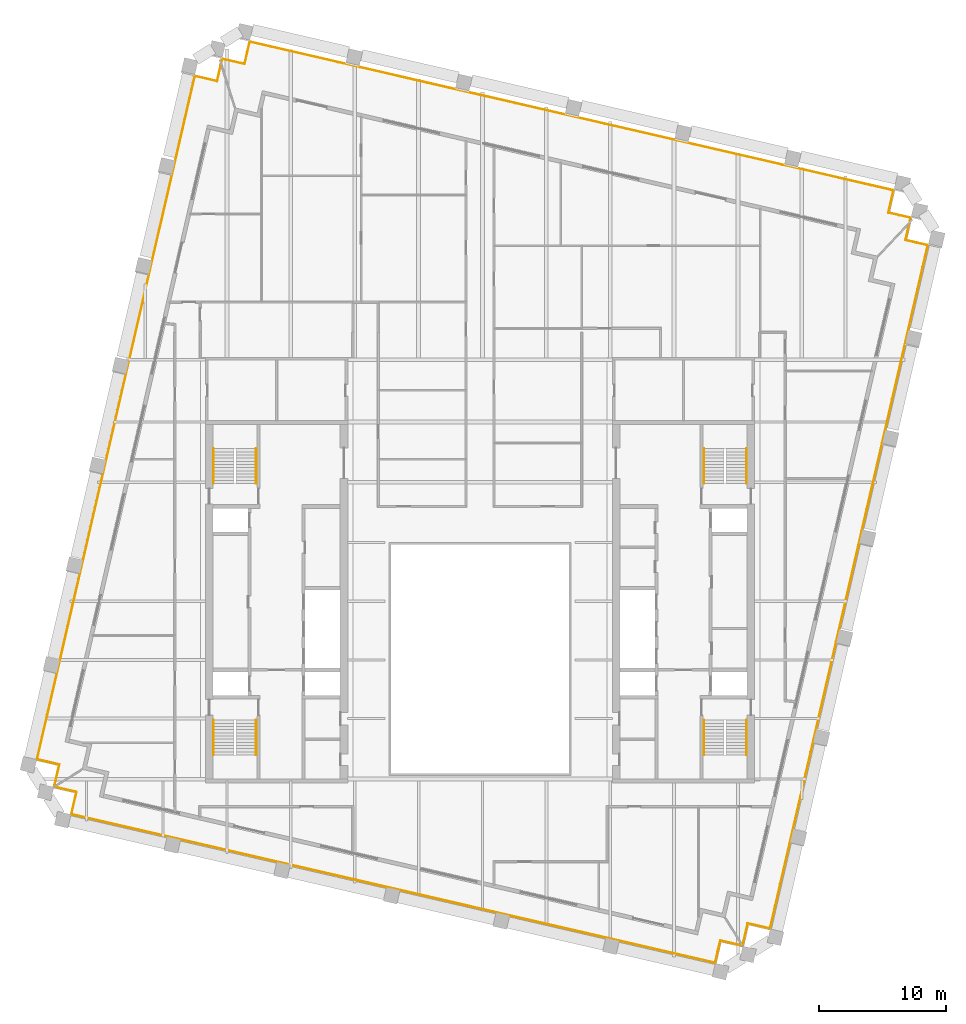
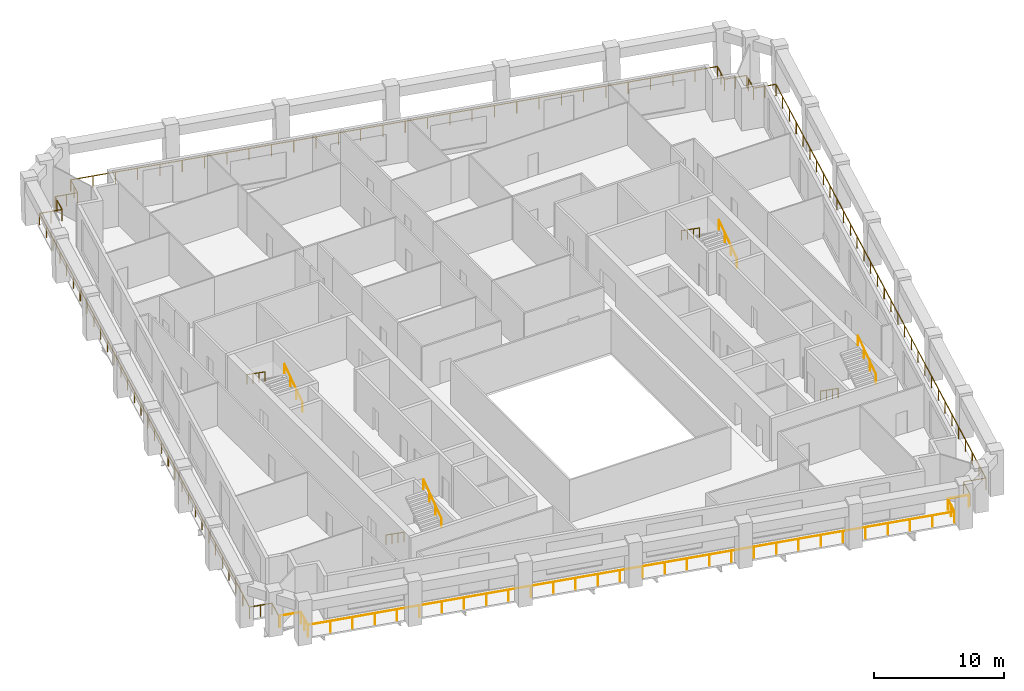
# One storey, part 10 of 10: 12 railings.
"""IFC4 building model written with IfcOpenShell, lengths in metres."""

from ifc_helpers import new_model, si_unit, direction, frame, origin, origin_2d, place, context, subcontext, project, spatial, circle, extrude, material, type_object, element, save


model = new_model("IFC4")

# Units and contexts
model_context = context("Model", 3, precision=1e-05, world=origin(), true_north=direction((0.0, 1.0)))
body_context = subcontext(model_context, "Body", "Model", "MODEL_VIEW")
ifc_project = project(units=[si_unit("LENGTHUNIT", "METRE"), si_unit("AREAUNIT", "SQUARE_METRE"), si_unit("VOLUMEUNIT", "CUBIC_METRE"), si_unit("PLANEANGLEUNIT", "RADIAN"), si_unit("MASSUNIT", "GRAM", prefix="KILO")], contexts=[model_context])

# Site, building, storey
site_placement = place(None, origin())
site = spatial("IfcSite", under=ifc_project, at=site_placement, CompositionType="ELEMENT")
building_placement = place(site_placement, origin())
building = spatial("IfcBuilding", under=site, at=building_placement, Name="Ogive Exchange Tower", CompositionType="ELEMENT")
storey_placement = place(building_placement, frame((0.0, 0.0, 255.60009765625)))
storey = spatial("IfcBuildingStorey", under=building, at=storey_placement, Name="L55", CompositionType="ELEMENT", Elevation=255.60009765625)

# Railings
ifc_material_1 = material(Name="Stainless steel 316", Category="steel")
railing_type_1 = type_object("IfcRailingType", Name="Guard 1100 stainless steel and glass", PredefinedType="GUARDRAIL", material=ifc_material_1)
railing_1_placement = place(storey_placement, frame((20.560546875, -15.527099609375, -0.050048828125)))
element("IfcRailing", 1, at=railing_1_placement, inside=storey, type_object=railing_type_1, Name="Loggia guard 1", PredefinedType="GUARDRAIL", context=body_context, shape_type="SweptSolid", body=[
    extrude(circle(Radius=0.02392578125, at=origin_2d()), frame((0.0, 0.0, 1.076171875), z_axis=(-0.974396013545, 0.224838628327, 0.0), x_axis=(-0.224838628327, -0.974396013545, 0.0)), (0.0, 0.0, 1.0), 1.7080078125),
    extrude(circle(Radius=0.02392578125, at=origin_2d()), frame((-1.664306640625, 0.384033203125, 1.076171875), z_axis=(-0.224879318197, -0.974386623598, 0.0), x_axis=(0.974386623598, -0.224879318197, 0.0)), (0.0, 0.0, 1.0), 1.800048828125),
    extrude(circle(Radius=0.02392578125, at=origin_2d()), frame((-2.069091796875, -1.369873046875, 1.076171875), z_axis=(-0.974370126852, 0.224950785504, 0.0), x_axis=(-0.224950785504, -0.974370126852, 0.0)), (0.0, 0.0, 1.0), 51.960205078125),
    extrude(circle(Radius=0.02392578125, at=origin_2d()), frame((-52.697509765625, 10.318603515625, 1.076171875), z_axis=(0.225008086135, 0.974356896201, 0.0), x_axis=(-0.974356896201, 0.225008086135, 0.0)), (0.0, 0.0, 1.0), 1.800048828125),
    extrude(circle(Radius=0.02392578125, at=origin_2d()), frame((-52.29248046875, 12.072509765625, 1.076171875), z_axis=(-0.974364690374, 0.224974332206, 0.0), x_axis=(-0.224974332206, -0.974364690374, 0.0)), (0.0, 0.0, 1.0), 1.7080078125),
    extrude(circle(Radius=0.02099609375, at=origin_2d()), origin(), (0.0, 0.0, 1.0), 1.052001953125),
    extrude(circle(Radius=0.02099609375, at=origin_2d()), frame((-1.664306640625, 0.384033203125, 0.0)), (0.0, 0.0, 1.0), 1.052001953125),
    extrude(circle(Radius=0.02099609375, at=origin_2d()), frame((-1.86669921875, -0.492919921875, 0.0)), (0.0, 0.0, 1.0), 1.052001953125),
    extrude(circle(Radius=0.02099609375, at=origin_2d()), frame((-2.069091796875, -1.369873046875, 0.0)), (0.0, 0.0, 1.0), 1.052001953125),
    extrude(circle(Radius=0.02099609375, at=origin_2d()), frame((-3.81494140625, -0.966796875, 0.0)), (0.0, 0.0, 1.0), 1.052001953125),
    extrude(circle(Radius=0.02099609375, at=origin_2d()), frame((-5.560791015625, -0.563720703125, 0.0)), (0.0, 0.0, 1.0), 1.052001953125),
    extrude(circle(Radius=0.02099609375, at=origin_2d()), frame((-7.306396484375, -0.16064453125, 0.0)), (0.0, 0.0, 1.0), 1.052001953125),
    extrude(circle(Radius=0.02099609375, at=origin_2d()), frame((-9.05224609375, 0.242431640625, 0.0)), (0.0, 0.0, 1.0), 1.052001953125),
    extrude(circle(Radius=0.02099609375, at=origin_2d()), frame((-10.798095703125, 0.645263671875, 0.0)), (0.0, 0.0, 1.0), 1.052001953125),
    extrude(circle(Radius=0.02099609375, at=origin_2d()), frame((-12.5439453125, 1.04833984375, 0.0)), (0.0, 0.0, 1.0), 1.052001953125),
    extrude(circle(Radius=0.02099609375, at=origin_2d()), frame((-14.289794921875, 1.451416015625, 0.0)), (0.0, 0.0, 1.0), 1.052001953125),
    extrude(circle(Radius=0.02099609375, at=origin_2d()), frame((-16.03564453125, 1.8544921875, 0.0)), (0.0, 0.0, 1.0), 1.052001953125),
    extrude(circle(Radius=0.02099609375, at=origin_2d()), frame((-17.78125, 2.257568359375, 0.0)), (0.0, 0.0, 1.0), 1.052001953125),
    extrude(circle(Radius=0.02099609375, at=origin_2d()), frame((-19.527099609375, 2.66064453125, 0.0)), (0.0, 0.0, 1.0), 1.052001953125),
    extrude(circle(Radius=0.02099609375, at=origin_2d()), frame((-21.27294921875, 3.063720703125, 0.0)), (0.0, 0.0, 1.0), 1.052001953125),
    extrude(circle(Radius=0.02099609375, at=origin_2d()), frame((-23.018798828125, 3.466796875, 0.0)), (0.0, 0.0, 1.0), 1.052001953125),
    extrude(circle(Radius=0.02099609375, at=origin_2d()), frame((-24.7646484375, 3.869873046875, 0.0)), (0.0, 0.0, 1.0), 1.052001953125),
    extrude(circle(Radius=0.02099609375, at=origin_2d()), frame((-26.510498046875, 4.27294921875, 0.0)), (0.0, 0.0, 1.0), 1.052001953125),
    extrude(circle(Radius=0.02099609375, at=origin_2d()), frame((-28.256103515625, 4.67578125, 0.0)), (0.0, 0.0, 1.0), 1.052001953125),
    extrude(circle(Radius=0.02099609375, at=origin_2d()), frame((-30.001953125, 5.078857421875, 0.0)), (0.0, 0.0, 1.0), 1.052001953125),
    extrude(circle(Radius=0.02099609375, at=origin_2d()), frame((-31.747802734375, 5.48193359375, 0.0)), (0.0, 0.0, 1.0), 1.052001953125),
    extrude(circle(Radius=0.02099609375, at=origin_2d()), frame((-33.49365234375, 5.885009765625, 0.0)), (0.0, 0.0, 1.0), 1.052001953125),
    extrude(circle(Radius=0.02099609375, at=origin_2d()), frame((-35.239501953125, 6.2880859375, 0.0)), (0.0, 0.0, 1.0), 1.052001953125),
    extrude(circle(Radius=0.02099609375, at=origin_2d()), frame((-36.9853515625, 6.691162109375, 0.0)), (0.0, 0.0, 1.0), 1.052001953125),
    extrude(circle(Radius=0.02099609375, at=origin_2d()), frame((-38.73095703125, 7.09423828125, 0.0)), (0.0, 0.0, 1.0), 1.052001953125),
    extrude(circle(Radius=0.02099609375, at=origin_2d()), frame((-40.476806640625, 7.497314453125, 0.0)), (0.0, 0.0, 1.0), 1.052001953125),
    extrude(circle(Radius=0.02099609375, at=origin_2d()), frame((-42.22265625, 7.900390625, 0.0)), (0.0, 0.0, 1.0), 1.052001953125),
    extrude(circle(Radius=0.02099609375, at=origin_2d()), frame((-43.968505859375, 8.303466796875, 0.0)), (0.0, 0.0, 1.0), 1.052001953125),
    extrude(circle(Radius=0.02099609375, at=origin_2d()), frame((-45.71435546875, 8.706298828125, 0.0)), (0.0, 0.0, 1.0), 1.052001953125),
    extrude(circle(Radius=0.02099609375, at=origin_2d()), frame((-47.460205078125, 9.109375, 0.0)), (0.0, 0.0, 1.0), 1.052001953125),
    extrude(circle(Radius=0.02099609375, at=origin_2d()), frame((-49.205810546875, 9.512451171875, 0.0)), (0.0, 0.0, 1.0), 1.052001953125),
    extrude(circle(Radius=0.02099609375, at=origin_2d()), frame((-50.95166015625, 9.91552734375, 0.0)), (0.0, 0.0, 1.0), 1.052001953125),
    extrude(circle(Radius=0.02099609375, at=origin_2d()), frame((-52.697509765625, 10.318603515625, 0.0)), (0.0, 0.0, 1.0), 1.052001953125),
    extrude(circle(Radius=0.02099609375, at=origin_2d()), frame((-52.4951171875, 11.195556640625, 0.0)), (0.0, 0.0, 1.0), 1.052001953125),
    extrude(circle(Radius=0.02099609375, at=origin_2d()), frame((-52.29248046875, 12.072509765625, 0.0)), (0.0, 0.0, 1.0), 1.052001953125),
    extrude(circle(Radius=0.02099609375, at=origin_2d()), frame((-53.956787109375, 12.456787109375, 0.0)), (0.0, 0.0, 1.0), 1.052001953125),
])
railing_2_placement = place(storey_placement, frame((-33.465087890625, -2.960205078125, -0.050048828125)))
element("IfcRailing", 2, at=railing_2_placement, inside=storey, type_object=railing_type_1, Name="Loggia guard 2", PredefinedType="GUARDRAIL", context=body_context, shape_type="SweptSolid", body=[
    extrude(circle(Radius=0.02392578125, at=origin_2d()), frame((0.0, 0.0, 1.076171875), z_axis=(0.224974332206, 0.974364690374, 0.0), x_axis=(-0.974364690374, 0.224974332206, 0.0)), (0.0, 0.0, 1.0), 1.7080078125),
    extrude(circle(Radius=0.02392578125, at=origin_2d()), frame((0.38427734375, 1.664306640625, 1.076171875), z_axis=(-0.974356896201, 0.225008086135, 0.0), x_axis=(-0.225008086135, -0.974356896201, 0.0)), (0.0, 0.0, 1.0), 1.800048828125),
    extrude(circle(Radius=0.02392578125, at=origin_2d()), frame((-1.36962890625, 2.0693359375, 1.076171875), z_axis=(0.224947121332, 0.974370972784, 0.0), x_axis=(-0.974370972784, 0.224947121332, 0.0)), (0.0, 0.0, 1.0), 55.15087890625),
    extrude(circle(Radius=0.02392578125, at=origin_2d()), frame((11.036376953125, 55.806640625, 1.076171875), z_axis=(0.974386623598, -0.224879318197, 0.0), x_axis=(0.224879318197, 0.974386623598, 0.0)), (0.0, 0.0, 1.0), 1.800048828125),
    extrude(circle(Radius=0.02392578125, at=origin_2d()), frame((12.790283203125, 55.40185546875, 1.076171875), z_axis=(0.225126273953, 0.974329595556, 0.0), x_axis=(-0.974329595556, 0.225126273953, 0.0)), (0.0, 0.0, 1.0), 1.27001953125),
    extrude(circle(Radius=0.02099609375, at=origin_2d()), origin(), (0.0, 0.0, 1.0), 1.052001953125),
    extrude(circle(Radius=0.02099609375, at=origin_2d()), frame((0.38427734375, 1.664306640625, 0.0)), (0.0, 0.0, 1.0), 1.052001953125),
    extrude(circle(Radius=0.02099609375, at=origin_2d()), frame((-0.49267578125, 1.86669921875, 0.0)), (0.0, 0.0, 1.0), 1.052001953125),
    extrude(circle(Radius=0.02099609375, at=origin_2d()), frame((-1.36962890625, 2.0693359375, 0.0)), (0.0, 0.0, 1.0), 1.052001953125),
    extrude(circle(Radius=0.02099609375, at=origin_2d()), frame((-0.969482421875, 3.802734375, 0.0)), (0.0, 0.0, 1.0), 1.052001953125),
    extrude(circle(Radius=0.02099609375, at=origin_2d()), frame((-0.5693359375, 5.536376953125, 0.0)), (0.0, 0.0, 1.0), 1.052001953125),
    extrude(circle(Radius=0.02099609375, at=origin_2d()), frame((-0.1689453125, 7.269775390625, 0.0)), (0.0, 0.0, 1.0), 1.052001953125),
    extrude(circle(Radius=0.02099609375, at=origin_2d()), frame((0.231201171875, 9.003173828125, 0.0)), (0.0, 0.0, 1.0), 1.052001953125),
    extrude(circle(Radius=0.02099609375, at=origin_2d()), frame((0.63134765625, 10.736572265625, 0.0)), (0.0, 0.0, 1.0), 1.052001953125),
    extrude(circle(Radius=0.02099609375, at=origin_2d()), frame((1.031494140625, 12.47021484375, 0.0)), (0.0, 0.0, 1.0), 1.052001953125),
    extrude(circle(Radius=0.02099609375, at=origin_2d()), frame((1.431640625, 14.20361328125, 0.0)), (0.0, 0.0, 1.0), 1.052001953125),
    extrude(circle(Radius=0.02099609375, at=origin_2d()), frame((1.83203125, 15.93701171875, 0.0)), (0.0, 0.0, 1.0), 1.052001953125),
    extrude(circle(Radius=0.02099609375, at=origin_2d()), frame((2.232177734375, 17.67041015625, 0.0)), (0.0, 0.0, 1.0), 1.052001953125),
    extrude(circle(Radius=0.02099609375, at=origin_2d()), frame((2.63232421875, 19.404052734375, 0.0)), (0.0, 0.0, 1.0), 1.052001953125),
    extrude(circle(Radius=0.02099609375, at=origin_2d()), frame((3.032470703125, 21.137451171875, 0.0)), (0.0, 0.0, 1.0), 1.052001953125),
    extrude(circle(Radius=0.02099609375, at=origin_2d()), frame((3.4326171875, 22.870849609375, 0.0)), (0.0, 0.0, 1.0), 1.052001953125),
    extrude(circle(Radius=0.02099609375, at=origin_2d()), frame((3.8330078125, 24.604248046875, 0.0)), (0.0, 0.0, 1.0), 1.052001953125),
    extrude(circle(Radius=0.02099609375, at=origin_2d()), frame((4.233154296875, 26.337890625, 0.0)), (0.0, 0.0, 1.0), 1.052001953125),
    extrude(circle(Radius=0.02099609375, at=origin_2d()), frame((4.63330078125, 28.0712890625, 0.0)), (0.0, 0.0, 1.0), 1.052001953125),
    extrude(circle(Radius=0.02099609375, at=origin_2d()), frame((5.033447265625, 29.8046875, 0.0)), (0.0, 0.0, 1.0), 1.052001953125),
    extrude(circle(Radius=0.02099609375, at=origin_2d()), frame((5.43359375, 31.5380859375, 0.0)), (0.0, 0.0, 1.0), 1.052001953125),
    extrude(circle(Radius=0.02099609375, at=origin_2d()), frame((5.833740234375, 33.271728515625, 0.0)), (0.0, 0.0, 1.0), 1.052001953125),
    extrude(circle(Radius=0.02099609375, at=origin_2d()), frame((6.234130859375, 35.005126953125, 0.0)), (0.0, 0.0, 1.0), 1.052001953125),
    extrude(circle(Radius=0.02099609375, at=origin_2d()), frame((6.63427734375, 36.738525390625, 0.0)), (0.0, 0.0, 1.0), 1.052001953125),
    extrude(circle(Radius=0.02099609375, at=origin_2d()), frame((7.034423828125, 38.471923828125, 0.0)), (0.0, 0.0, 1.0), 1.052001953125),
    extrude(circle(Radius=0.02099609375, at=origin_2d()), frame((7.4345703125, 40.20556640625, 0.0)), (0.0, 0.0, 1.0), 1.052001953125),
    extrude(circle(Radius=0.02099609375, at=origin_2d()), frame((7.834716796875, 41.93896484375, 0.0)), (0.0, 0.0, 1.0), 1.052001953125),
    extrude(circle(Radius=0.02099609375, at=origin_2d()), frame((8.235107421875, 43.67236328125, 0.0)), (0.0, 0.0, 1.0), 1.052001953125),
    extrude(circle(Radius=0.02099609375, at=origin_2d()), frame((8.63525390625, 45.40576171875, 0.0)), (0.0, 0.0, 1.0), 1.052001953125),
    extrude(circle(Radius=0.02099609375, at=origin_2d()), frame((9.035400390625, 47.139404296875, 0.0)), (0.0, 0.0, 1.0), 1.052001953125),
    extrude(circle(Radius=0.02099609375, at=origin_2d()), frame((9.435546875, 48.872802734375, 0.0)), (0.0, 0.0, 1.0), 1.052001953125),
    extrude(circle(Radius=0.02099609375, at=origin_2d()), frame((9.835693359375, 50.606201171875, 0.0)), (0.0, 0.0, 1.0), 1.052001953125),
    extrude(circle(Radius=0.02099609375, at=origin_2d()), frame((10.236083984375, 52.339599609375, 0.0)), (0.0, 0.0, 1.0), 1.052001953125),
    extrude(circle(Radius=0.02099609375, at=origin_2d()), frame((10.63623046875, 54.0732421875, 0.0)), (0.0, 0.0, 1.0), 1.052001953125),
    extrude(circle(Radius=0.02099609375, at=origin_2d()), frame((11.036376953125, 55.806640625, 0.0)), (0.0, 0.0, 1.0), 1.052001953125),
    extrude(circle(Radius=0.02099609375, at=origin_2d()), frame((11.913330078125, 55.604248046875, 0.0)), (0.0, 0.0, 1.0), 1.052001953125),
    extrude(circle(Radius=0.02099609375, at=origin_2d()), frame((12.790283203125, 55.40185546875, 0.0)), (0.0, 0.0, 1.0), 1.052001953125),
    extrude(circle(Radius=0.02099609375, at=origin_2d()), frame((13.076171875, 56.63916015625, 0.0)), (0.0, 0.0, 1.0), 1.052001953125),
])
railing_3_placement = place(storey_placement, frame((-20.331298828125, 53.929443359375, -0.050048828125)))
element("IfcRailing", 3, at=railing_3_placement, inside=storey, type_object=railing_type_1, Name="Loggia guard 3", PredefinedType="GUARDRAIL", context=body_context, shape_type="SweptSolid", body=[
    extrude(circle(Radius=0.02392578125, at=origin_2d()), frame((0.0, 0.0, 1.076171875), z_axis=(0.225251177309, 0.97430072725, 0.0), x_axis=(-0.97430072725, 0.225251177309, 0.0)), (0.0, 0.0, 1.0), 0.273193359375),
    extrude(circle(Radius=0.02392578125, at=origin_2d()), frame((0.0615234375, 0.26611328125, 1.076171875), z_axis=(0.974356896201, -0.225008086135, 0.0), x_axis=(0.225008086135, 0.974356896201, 0.0)), (0.0, 0.0, 1.0), 1.800048828125),
    extrude(circle(Radius=0.02392578125, at=origin_2d()), frame((1.8154296875, -0.138916015625, 1.076171875), z_axis=(0.224879318197, 0.974386623598, 0.0), x_axis=(-0.974386623598, 0.224879318197, 0.0)), (0.0, 0.0, 1.0), 1.800048828125),
    extrude(circle(Radius=0.02392578125, at=origin_2d()), frame((2.22021484375, 1.614990234375, 1.076171875), z_axis=(0.974370126852, -0.224950785504, 0.0), x_axis=(0.224950785504, 0.974370126852, 0.0)), (0.0, 0.0, 1.0), 51.960205078125),
    extrude(circle(Radius=0.02392578125, at=origin_2d()), frame((52.8486328125, -10.073486328125, 1.076171875), z_axis=(-0.225008086135, -0.974356896201, 0.0), x_axis=(0.974356896201, -0.225008086135, 0.0)), (0.0, 0.0, 1.0), 1.800048828125),
    extrude(circle(Radius=0.02392578125, at=origin_2d()), frame((52.443603515625, -11.827392578125, 1.076171875), z_axis=(0.974386623598, -0.224879318197, 0.0), x_axis=(0.224879318197, 0.974386623598, 0.0)), (0.0, 0.0, 1.0), 1.800048828125),
    extrude(circle(Radius=0.02392578125, at=origin_2d()), frame((54.197509765625, -12.232177734375, 1.076171875), z_axis=(-0.225251177309, -0.97430072725, 0.0), x_axis=(0.97430072725, -0.225251177309, 0.0)), (0.0, 0.0, 1.0), 0.273193359375),
    extrude(circle(Radius=0.02099609375, at=origin_2d()), origin(), (0.0, 0.0, 1.0), 1.052001953125),
    extrude(circle(Radius=0.02099609375, at=origin_2d()), frame((0.0615234375, 0.26611328125, 0.0)), (0.0, 0.0, 1.0), 1.052001953125),
    extrude(circle(Radius=0.02099609375, at=origin_2d()), frame((0.9384765625, 0.0634765625, 0.0)), (0.0, 0.0, 1.0), 1.052001953125),
    extrude(circle(Radius=0.02099609375, at=origin_2d()), frame((1.8154296875, -0.138916015625, 0.0)), (0.0, 0.0, 1.0), 1.052001953125),
    extrude(circle(Radius=0.02099609375, at=origin_2d()), frame((2.017822265625, 0.738037109375, 0.0)), (0.0, 0.0, 1.0), 1.052001953125),
    extrude(circle(Radius=0.02099609375, at=origin_2d()), frame((2.22021484375, 1.614990234375, 0.0)), (0.0, 0.0, 1.0), 1.052001953125),
    extrude(circle(Radius=0.02099609375, at=origin_2d()), frame((3.966064453125, 1.2119140625, 0.0)), (0.0, 0.0, 1.0), 1.052001953125),
    extrude(circle(Radius=0.02099609375, at=origin_2d()), frame((5.7119140625, 0.808837890625, 0.0)), (0.0, 0.0, 1.0), 1.052001953125),
    extrude(circle(Radius=0.02099609375, at=origin_2d()), frame((7.45751953125, 0.40576171875, 0.0)), (0.0, 0.0, 1.0), 1.052001953125),
    extrude(circle(Radius=0.02099609375, at=origin_2d()), frame((9.203369140625, 0.002685546875, 0.0)), (0.0, 0.0, 1.0), 1.052001953125),
    extrude(circle(Radius=0.02099609375, at=origin_2d()), frame((10.94921875, -0.400146484375, 0.0)), (0.0, 0.0, 1.0), 1.052001953125),
    extrude(circle(Radius=0.02099609375, at=origin_2d()), frame((12.695068359375, -0.80322265625, 0.0)), (0.0, 0.0, 1.0), 1.052001953125),
    extrude(circle(Radius=0.02099609375, at=origin_2d()), frame((14.44091796875, -1.206298828125, 0.0)), (0.0, 0.0, 1.0), 1.052001953125),
    extrude(circle(Radius=0.02099609375, at=origin_2d()), frame((16.186767578125, -1.609375, 0.0)), (0.0, 0.0, 1.0), 1.052001953125),
    extrude(circle(Radius=0.02099609375, at=origin_2d()), frame((17.932373046875, -2.012451171875, 0.0)), (0.0, 0.0, 1.0), 1.052001953125),
    extrude(circle(Radius=0.02099609375, at=origin_2d()), frame((19.67822265625, -2.41552734375, 0.0)), (0.0, 0.0, 1.0), 1.052001953125),
    extrude(circle(Radius=0.02099609375, at=origin_2d()), frame((21.424072265625, -2.818603515625, 0.0)), (0.0, 0.0, 1.0), 1.052001953125),
    extrude(circle(Radius=0.02099609375, at=origin_2d()), frame((23.169921875, -3.2216796875, 0.0)), (0.0, 0.0, 1.0), 1.052001953125),
    extrude(circle(Radius=0.02099609375, at=origin_2d()), frame((24.915771484375, -3.624755859375, 0.0)), (0.0, 0.0, 1.0), 1.052001953125),
    extrude(circle(Radius=0.02099609375, at=origin_2d()), frame((26.66162109375, -4.02783203125, 0.0)), (0.0, 0.0, 1.0), 1.052001953125),
    extrude(circle(Radius=0.02099609375, at=origin_2d()), frame((28.4072265625, -4.4306640625, 0.0)), (0.0, 0.0, 1.0), 1.052001953125),
    extrude(circle(Radius=0.02099609375, at=origin_2d()), frame((30.153076171875, -4.833740234375, 0.0)), (0.0, 0.0, 1.0), 1.052001953125),
    extrude(circle(Radius=0.02099609375, at=origin_2d()), frame((31.89892578125, -5.23681640625, 0.0)), (0.0, 0.0, 1.0), 1.052001953125),
    extrude(circle(Radius=0.02099609375, at=origin_2d()), frame((33.644775390625, -5.639892578125, 0.0)), (0.0, 0.0, 1.0), 1.052001953125),
    extrude(circle(Radius=0.02099609375, at=origin_2d()), frame((35.390625, -6.04296875, 0.0)), (0.0, 0.0, 1.0), 1.052001953125),
    extrude(circle(Radius=0.02099609375, at=origin_2d()), frame((37.136474609375, -6.446044921875, 0.0)), (0.0, 0.0, 1.0), 1.052001953125),
    extrude(circle(Radius=0.02099609375, at=origin_2d()), frame((38.882080078125, -6.84912109375, 0.0)), (0.0, 0.0, 1.0), 1.052001953125),
    extrude(circle(Radius=0.02099609375, at=origin_2d()), frame((40.6279296875, -7.252197265625, 0.0)), (0.0, 0.0, 1.0), 1.052001953125),
    extrude(circle(Radius=0.02099609375, at=origin_2d()), frame((42.373779296875, -7.6552734375, 0.0)), (0.0, 0.0, 1.0), 1.052001953125),
    extrude(circle(Radius=0.02099609375, at=origin_2d()), frame((44.11962890625, -8.058349609375, 0.0)), (0.0, 0.0, 1.0), 1.052001953125),
    extrude(circle(Radius=0.02099609375, at=origin_2d()), frame((45.865478515625, -8.461181640625, 0.0)), (0.0, 0.0, 1.0), 1.052001953125),
    extrude(circle(Radius=0.02099609375, at=origin_2d()), frame((47.611328125, -8.8642578125, 0.0)), (0.0, 0.0, 1.0), 1.052001953125),
    extrude(circle(Radius=0.02099609375, at=origin_2d()), frame((49.35693359375, -9.267333984375, 0.0)), (0.0, 0.0, 1.0), 1.052001953125),
    extrude(circle(Radius=0.02099609375, at=origin_2d()), frame((51.102783203125, -9.67041015625, 0.0)), (0.0, 0.0, 1.0), 1.052001953125),
    extrude(circle(Radius=0.02099609375, at=origin_2d()), frame((52.8486328125, -10.073486328125, 0.0)), (0.0, 0.0, 1.0), 1.052001953125),
    extrude(circle(Radius=0.02099609375, at=origin_2d()), frame((52.64599609375, -10.950439453125, 0.0)), (0.0, 0.0, 1.0), 1.052001953125),
    extrude(circle(Radius=0.02099609375, at=origin_2d()), frame((52.443603515625, -11.827392578125, 0.0)), (0.0, 0.0, 1.0), 1.052001953125),
    extrude(circle(Radius=0.02099609375, at=origin_2d()), frame((53.320556640625, -12.02978515625, 0.0)), (0.0, 0.0, 1.0), 1.052001953125),
    extrude(circle(Radius=0.02099609375, at=origin_2d()), frame((54.197509765625, -12.232177734375, 0.0)), (0.0, 0.0, 1.0), 1.052001953125),
    extrude(circle(Radius=0.02099609375, at=origin_2d()), frame((54.135986328125, -12.498291015625, 0.0)), (0.0, 0.0, 1.0), 1.052001953125),
])
railing_4_placement = place(storey_placement, frame((33.7470703125, 41.1806640625, -0.050048828125)))
element("IfcRailing", 4, at=railing_4_placement, inside=storey, type_object=railing_type_1, Name="Loggia guard 4", PredefinedType="GUARDRAIL", context=body_context, shape_type="SweptSolid", body=[
    extrude(circle(Radius=0.02392578125, at=origin_2d()), frame((0.0, 0.0, 1.076171875), z_axis=(-0.225126273953, -0.974329595556, 0.0), x_axis=(0.974329595556, -0.225126273953, 0.0)), (0.0, 0.0, 1.0), 1.27001953125),
    extrude(circle(Radius=0.02392578125, at=origin_2d()), frame((-0.285888671875, -1.2373046875, 1.076171875), z_axis=(0.974356896201, -0.225008086135, 0.0), x_axis=(0.225008086135, 0.974356896201, 0.0)), (0.0, 0.0, 1.0), 1.800048828125),
    extrude(circle(Radius=0.02392578125, at=origin_2d()), frame((1.468017578125, -1.642333984375, 1.076171875), z_axis=(-0.22495132411, -0.974370002505, 0.0), x_axis=(0.974370002505, -0.22495132411, 0.0)), (0.0, 0.0, 1.0), 55.15087890625),
    extrude(circle(Radius=0.02392578125, at=origin_2d()), frame((-10.938232421875, -55.379638671875, 1.076171875), z_axis=(-0.974379763188, 0.224909041816, 0.0), x_axis=(-0.224909041816, -0.974379763188, 0.0)), (0.0, 0.0, 1.0), 1.7998046875),
    extrude(circle(Radius=0.02392578125, at=origin_2d()), frame((-12.69189453125, -54.974853515625, 1.076171875), z_axis=(-0.224974332206, -0.974364690374, 0.0), x_axis=(0.974364690374, -0.224974332206, 0.0)), (0.0, 0.0, 1.0), 1.7080078125),
    extrude(circle(Radius=0.02099609375, at=origin_2d()), origin(), (0.0, 0.0, 1.0), 1.052001953125),
    extrude(circle(Radius=0.02099609375, at=origin_2d()), frame((-0.285888671875, -1.2373046875, 0.0)), (0.0, 0.0, 1.0), 1.052001953125),
    extrude(circle(Radius=0.02099609375, at=origin_2d()), frame((0.591064453125, -1.43994140625, 0.0)), (0.0, 0.0, 1.0), 1.052001953125),
    extrude(circle(Radius=0.02099609375, at=origin_2d()), frame((1.468017578125, -1.642333984375, 0.0)), (0.0, 0.0, 1.0), 1.052001953125),
    extrude(circle(Radius=0.02099609375, at=origin_2d()), frame((1.06787109375, -3.375732421875, 0.0)), (0.0, 0.0, 1.0), 1.052001953125),
    extrude(circle(Radius=0.02099609375, at=origin_2d()), frame((0.667724609375, -5.109375, 0.0)), (0.0, 0.0, 1.0), 1.052001953125),
    extrude(circle(Radius=0.02099609375, at=origin_2d()), frame((0.267333984375, -6.8427734375, 0.0)), (0.0, 0.0, 1.0), 1.052001953125),
    extrude(circle(Radius=0.02099609375, at=origin_2d()), frame((-0.1328125, -8.576171875, 0.0)), (0.0, 0.0, 1.0), 1.052001953125),
    extrude(circle(Radius=0.02099609375, at=origin_2d()), frame((-0.532958984375, -10.3095703125, 0.0)), (0.0, 0.0, 1.0), 1.052001953125),
    extrude(circle(Radius=0.02099609375, at=origin_2d()), frame((-0.93310546875, -12.043212890625, 0.0)), (0.0, 0.0, 1.0), 1.052001953125),
    extrude(circle(Radius=0.02099609375, at=origin_2d()), frame((-1.33349609375, -13.776611328125, 0.0)), (0.0, 0.0, 1.0), 1.052001953125),
    extrude(circle(Radius=0.02099609375, at=origin_2d()), frame((-1.733642578125, -15.510009765625, 0.0)), (0.0, 0.0, 1.0), 1.052001953125),
    extrude(circle(Radius=0.02099609375, at=origin_2d()), frame((-2.1337890625, -17.243408203125, 0.0)), (0.0, 0.0, 1.0), 1.052001953125),
    extrude(circle(Radius=0.02099609375, at=origin_2d()), frame((-2.533935546875, -18.97705078125, 0.0)), (0.0, 0.0, 1.0), 1.052001953125),
    extrude(circle(Radius=0.02099609375, at=origin_2d()), frame((-2.93408203125, -20.71044921875, 0.0)), (0.0, 0.0, 1.0), 1.052001953125),
    extrude(circle(Radius=0.02099609375, at=origin_2d()), frame((-3.33447265625, -22.44384765625, 0.0)), (0.0, 0.0, 1.0), 1.052001953125),
    extrude(circle(Radius=0.02099609375, at=origin_2d()), frame((-3.734619140625, -24.17724609375, 0.0)), (0.0, 0.0, 1.0), 1.052001953125),
    extrude(circle(Radius=0.02099609375, at=origin_2d()), frame((-4.134765625, -25.910888671875, 0.0)), (0.0, 0.0, 1.0), 1.052001953125),
    extrude(circle(Radius=0.02099609375, at=origin_2d()), frame((-4.534912109375, -27.644287109375, 0.0)), (0.0, 0.0, 1.0), 1.052001953125),
    extrude(circle(Radius=0.02099609375, at=origin_2d()), frame((-4.935302734375, -29.377685546875, 0.0)), (0.0, 0.0, 1.0), 1.052001953125),
    extrude(circle(Radius=0.02099609375, at=origin_2d()), frame((-5.33544921875, -31.111083984375, 0.0)), (0.0, 0.0, 1.0), 1.052001953125),
    extrude(circle(Radius=0.02099609375, at=origin_2d()), frame((-5.735595703125, -32.8447265625, 0.0)), (0.0, 0.0, 1.0), 1.052001953125),
    extrude(circle(Radius=0.02099609375, at=origin_2d()), frame((-6.1357421875, -34.578125, 0.0)), (0.0, 0.0, 1.0), 1.052001953125),
    extrude(circle(Radius=0.02099609375, at=origin_2d()), frame((-6.5361328125, -36.3115234375, 0.0)), (0.0, 0.0, 1.0), 1.052001953125),
    extrude(circle(Radius=0.02099609375, at=origin_2d()), frame((-6.936279296875, -38.044921875, 0.0)), (0.0, 0.0, 1.0), 1.052001953125),
    extrude(circle(Radius=0.02099609375, at=origin_2d()), frame((-7.33642578125, -39.778564453125, 0.0)), (0.0, 0.0, 1.0), 1.052001953125),
    extrude(circle(Radius=0.02099609375, at=origin_2d()), frame((-7.736572265625, -41.511962890625, 0.0)), (0.0, 0.0, 1.0), 1.052001953125),
    extrude(circle(Radius=0.02099609375, at=origin_2d()), frame((-8.13671875, -43.245361328125, 0.0)), (0.0, 0.0, 1.0), 1.052001953125),
    extrude(circle(Radius=0.02099609375, at=origin_2d()), frame((-8.537109375, -44.978759765625, 0.0)), (0.0, 0.0, 1.0), 1.052001953125),
    extrude(circle(Radius=0.02099609375, at=origin_2d()), frame((-8.937255859375, -46.71240234375, 0.0)), (0.0, 0.0, 1.0), 1.052001953125),
    extrude(circle(Radius=0.02099609375, at=origin_2d()), frame((-9.33740234375, -48.44580078125, 0.0)), (0.0, 0.0, 1.0), 1.052001953125),
    extrude(circle(Radius=0.02099609375, at=origin_2d()), frame((-9.737548828125, -50.17919921875, 0.0)), (0.0, 0.0, 1.0), 1.052001953125),
    extrude(circle(Radius=0.02099609375, at=origin_2d()), frame((-10.137939453125, -51.91259765625, 0.0)), (0.0, 0.0, 1.0), 1.052001953125),
    extrude(circle(Radius=0.02099609375, at=origin_2d()), frame((-10.5380859375, -53.646240234375, 0.0)), (0.0, 0.0, 1.0), 1.052001953125),
    extrude(circle(Radius=0.02099609375, at=origin_2d()), frame((-10.938232421875, -55.379638671875, 0.0)), (0.0, 0.0, 1.0), 1.052001953125),
    extrude(circle(Radius=0.02099609375, at=origin_2d()), frame((-12.69189453125, -54.974853515625, 0.0)), (0.0, 0.0, 1.0), 1.052001953125),
    extrude(circle(Radius=0.02099609375, at=origin_2d()), frame((-13.076171875, -56.63916015625, 0.0)), (0.0, 0.0, 1.0), 1.052001953125),
])
ifc_material_2 = material(Name="Stainless steel", Category="steel")
railing_type_2 = type_object("IfcRailingType", Name="Stair handrail 900", PredefinedType="HANDRAIL", material=ifc_material_2)
railing_5_placement = place(storey_placement, frame((-20.949951171875, 2.199951171875, 0.1748046875)))
element("IfcRailing", 5, at=railing_5_placement, inside=storey, type_object=railing_type_2, Name="L55 ST1 stair handrail 1", PredefinedType="HANDRAIL", context=body_context, shape_type="SweptSolid", body=[
    extrude(circle(Radius=0.02392578125, at=origin_2d()), frame((0.0, 0.0, 0.8759765625), z_axis=(0.0, -0.819225086817, 0.573472106672), x_axis=(1.0, 0.0, 0.0)), (0.0, 0.0, 1.0), 3.35693359375),
    extrude(circle(Radius=0.02099609375, at=origin_2d()), origin(), (0.0, 0.0, 1.0), 0.851806640625),
    extrude(circle(Radius=0.02099609375, at=origin_2d()), frame((0.0, -0.916748046875, 0.6416015625)), (0.0, 0.0, 1.0), 0.851806640625),
    extrude(circle(Radius=0.02099609375, at=origin_2d()), frame((0.0, -1.833251953125, 1.283447265625)), (0.0, 0.0, 1.0), 0.851806640625),
    extrude(circle(Radius=0.02099609375, at=origin_2d()), frame((0.0, -2.75, 1.925048828125)), (0.0, 0.0, 1.0), 0.851806640625),
])
for number, where, name in (
    (6, (-17.60009765625, -0.550048828125, 2.27490234375), "L55 ST1 stair handrail 2"),
    (7, (-17.60009765625, 20.800048828125, 0.1748046875), "L55 ST2 stair handrail 1"),
):
    element("IfcRailing", number, at=place(storey_placement, frame(where)), inside=storey, type_object=railing_type_2, Name=name, PredefinedType="HANDRAIL", context=body_context, shape_type="SweptSolid", body=[
        extrude(circle(Radius=0.02392578125, at=origin_2d()), frame((0.0, 0.0, 0.8759765625), z_axis=(0.0, 0.819225086817, 0.573472106672), x_axis=(-1.0, 0.0, 0.0)), (0.0, 0.0, 1.0), 3.35693359375),
        extrude(circle(Radius=0.02099609375, at=origin_2d()), origin(), (0.0, 0.0, 1.0), 0.851806640625),
        extrude(circle(Radius=0.02099609375, at=origin_2d()), frame((0.0, 0.916748046875, 0.6416015625)), (0.0, 0.0, 1.0), 0.851806640625),
        extrude(circle(Radius=0.02099609375, at=origin_2d()), frame((0.0, 1.833251953125, 1.283447265625)), (0.0, 0.0, 1.0), 0.851806640625),
        extrude(circle(Radius=0.02099609375, at=origin_2d()), frame((0.0, 2.75, 1.925048828125)), (0.0, 0.0, 1.0), 0.851806640625),
    ])
for number, where, name in (
    (8, (-20.949951171875, 23.550048828125, 2.27490234375), "L55 ST2 stair handrail 2"),
    (9, (17.60009765625, 2.199951171875, 0.1748046875), "L55 ST3 stair handrail 1"),
):
    element("IfcRailing", number, at=place(storey_placement, frame(where)), inside=storey, type_object=railing_type_2, Name=name, PredefinedType="HANDRAIL", context=body_context, shape_type="SweptSolid", body=[
        extrude(circle(Radius=0.02392578125, at=origin_2d()), frame((0.0, 0.0, 0.8759765625), z_axis=(0.0, -0.819225086817, 0.573472106672), x_axis=(1.0, 0.0, 0.0)), (0.0, 0.0, 1.0), 3.35693359375),
        extrude(circle(Radius=0.02099609375, at=origin_2d()), origin(), (0.0, 0.0, 1.0), 0.851806640625),
        extrude(circle(Radius=0.02099609375, at=origin_2d()), frame((0.0, -0.916748046875, 0.6416015625)), (0.0, 0.0, 1.0), 0.851806640625),
        extrude(circle(Radius=0.02099609375, at=origin_2d()), frame((0.0, -1.833251953125, 1.283447265625)), (0.0, 0.0, 1.0), 0.851806640625),
        extrude(circle(Radius=0.02099609375, at=origin_2d()), frame((0.0, -2.75, 1.925048828125)), (0.0, 0.0, 1.0), 0.851806640625),
    ])
for number, where, name in (
    (10, (20.949951171875, -0.550048828125, 2.27490234375), "L55 ST3 stair handrail 2"),
    (11, (20.949951171875, 20.800048828125, 0.1748046875), "L55 ST4 stair handrail 1"),
):
    element("IfcRailing", number, at=place(storey_placement, frame(where)), inside=storey, type_object=railing_type_2, Name=name, PredefinedType="HANDRAIL", context=body_context, shape_type="SweptSolid", body=[
        extrude(circle(Radius=0.02392578125, at=origin_2d()), frame((0.0, 0.0, 0.8759765625), z_axis=(0.0, 0.819225086817, 0.573472106672), x_axis=(-1.0, 0.0, 0.0)), (0.0, 0.0, 1.0), 3.35693359375),
        extrude(circle(Radius=0.02099609375, at=origin_2d()), origin(), (0.0, 0.0, 1.0), 0.851806640625),
        extrude(circle(Radius=0.02099609375, at=origin_2d()), frame((0.0, 0.916748046875, 0.6416015625)), (0.0, 0.0, 1.0), 0.851806640625),
        extrude(circle(Radius=0.02099609375, at=origin_2d()), frame((0.0, 1.833251953125, 1.283447265625)), (0.0, 0.0, 1.0), 0.851806640625),
        extrude(circle(Radius=0.02099609375, at=origin_2d()), frame((0.0, 2.75, 1.925048828125)), (0.0, 0.0, 1.0), 0.851806640625),
    ])
railing_6_placement = place(storey_placement, frame((17.60009765625, 23.550048828125, 2.27490234375)))
element("IfcRailing", 12, at=railing_6_placement, inside=storey, type_object=railing_type_2, Name="L55 ST4 stair handrail 2", PredefinedType="HANDRAIL", context=body_context, shape_type="SweptSolid", body=[
    extrude(circle(Radius=0.02392578125, at=origin_2d()), frame((0.0, 0.0, 0.8759765625), z_axis=(0.0, -0.819225086817, 0.573472106672), x_axis=(1.0, 0.0, 0.0)), (0.0, 0.0, 1.0), 3.35693359375),
    extrude(circle(Radius=0.02099609375, at=origin_2d()), origin(), (0.0, 0.0, 1.0), 0.851806640625),
    extrude(circle(Radius=0.02099609375, at=origin_2d()), frame((0.0, -0.916748046875, 0.6416015625)), (0.0, 0.0, 1.0), 0.851806640625),
    extrude(circle(Radius=0.02099609375, at=origin_2d()), frame((0.0, -1.833251953125, 1.283447265625)), (0.0, 0.0, 1.0), 0.851806640625),
    extrude(circle(Radius=0.02099609375, at=origin_2d()), frame((0.0, -2.75, 1.925048828125)), (0.0, 0.0, 1.0), 0.851806640625),
])

save(model, "model.ifc")
